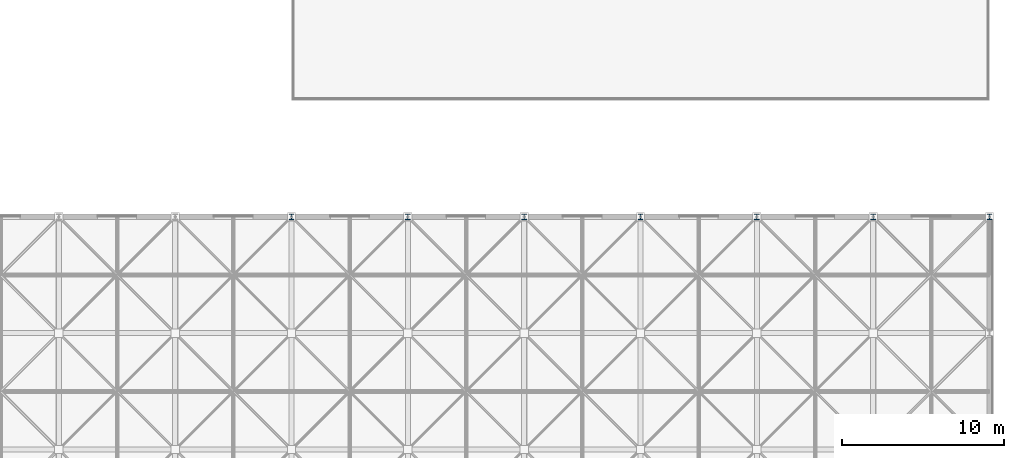
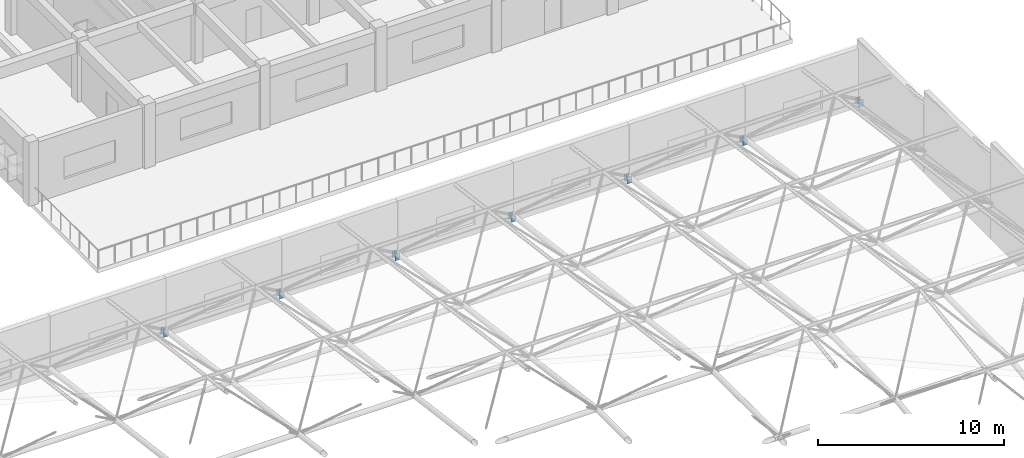
# One storey, part 16 of 103: 7 columns.
"""IFC4 building model written with IfcOpenShell, lengths in metres."""

from ifc_helpers import new_model, si_unit, direction, frame, origin, origin_2d, place, context, subcontext, project, spatial, i_section, extrude, material, material_profile, profile_set, type_object, element, save


model = new_model("IFC4")

# Units and contexts
model_context = context("Model", 3, precision=1e-05, world=origin(), true_north=direction((0.0, 1.0)))
body_context = subcontext(model_context, "Body", "Model", "MODEL_VIEW")
ifc_project = project(units=[si_unit("LENGTHUNIT", "METRE"), si_unit("AREAUNIT", "SQUARE_METRE"), si_unit("VOLUMEUNIT", "CUBIC_METRE"), si_unit("PLANEANGLEUNIT", "RADIAN"), si_unit("MASSUNIT", "GRAM", prefix="KILO")], contexts=[model_context])

# Site, building, storey
site_placement = place(None, origin())
site = spatial("IfcSite", under=ifc_project, at=site_placement, CompositionType="ELEMENT")
building_placement = place(site_placement, origin())
building = spatial("IfcBuilding", under=site, at=building_placement, Name="Thalmaran Polytechnic", CompositionType="ELEMENT")
storey_placement = place(building_placement, frame((0.0, 0.0, 14.39990234375)))
storey = spatial("IfcBuildingStorey", under=building, at=storey_placement, Name="L03", CompositionType="ELEMENT", Elevation=14.39990234375)

# Columns
ifc_material = material(Name="Steel S355", Category="steel")
ifc_material_profile = material_profile(ifc_material, i_section(OverallWidth=0.300048828125, OverallDepth=0.340087890625, WebThickness=0.011962890625, FlangeThickness=0.021484375, at=origin_2d()), Name="HEB 340")
ifc_profile_set = profile_set([ifc_material_profile], Name="Steel S355")
column_type = type_object("IfcColumnType", Name="COL-SC1", PredefinedType="COLUMN", material=ifc_profile_set)
for number, where, z_axis, x_axis, name in (
    (1, (129.60009765625, 50.39990234375, 0.0), (0.0, 0.0, 1.0), (1.0, 0.0, 0.0), "Space-Frame Bearing Pedestal (18,7)"),
    (2, (136.800048828125, 50.39990234375, 0.0), (0.0, 0.0, 1.0), (1.0, 0.0, 0.0), "Space-Frame Bearing Pedestal (19,7)"),
    (3, (144.0, 50.39990234375, 0.0), (0.0, 0.0, 1.0), (1.0, 0.0, 0.0), "Space-Frame Bearing Pedestal (20,7)"),
    (4, (151.199951171875, 50.39990234375, 0.0), (0.0, 0.0, 1.0), (1.0, 0.0, 0.0), "Space-Frame Bearing Pedestal (21,7)"),
    (5, (158.39990234375, 50.39990234375, 0.0), (0.0, 0.0, 1.0), (1.0, 0.0, 0.0), "Space-Frame Bearing Pedestal (22,7)"),
    (6, (165.60009765625, 50.39990234375, 0.0), (0.0, 0.0, 1.0), (1.0, 0.0, 0.0), "Space-Frame Bearing Pedestal (23,7)"),
    (7, (172.800048828125, 50.39990234375, 0.0), (0.0, 0.0, 1.0), (1.0, 0.0, 0.0), "Space-Frame Bearing Pedestal (24,7)"),
):
    element("IfcColumn", number, at=place(storey_placement, frame(where, z_axis=z_axis, x_axis=x_axis)), inside=storey, type_object=column_type, Name=name, PredefinedType="COLUMN", context=body_context, shape_type="SweptSolid", body=[
        extrude(i_section(OverallWidth=0.300048828125, OverallDepth=0.340087890625, WebThickness=0.011962890625, FlangeThickness=0.021484375, at=origin_2d()), origin(), (0.0, 0.0, 1.0), 0.460205078125),
    ])

save(model, "model.ifc")
